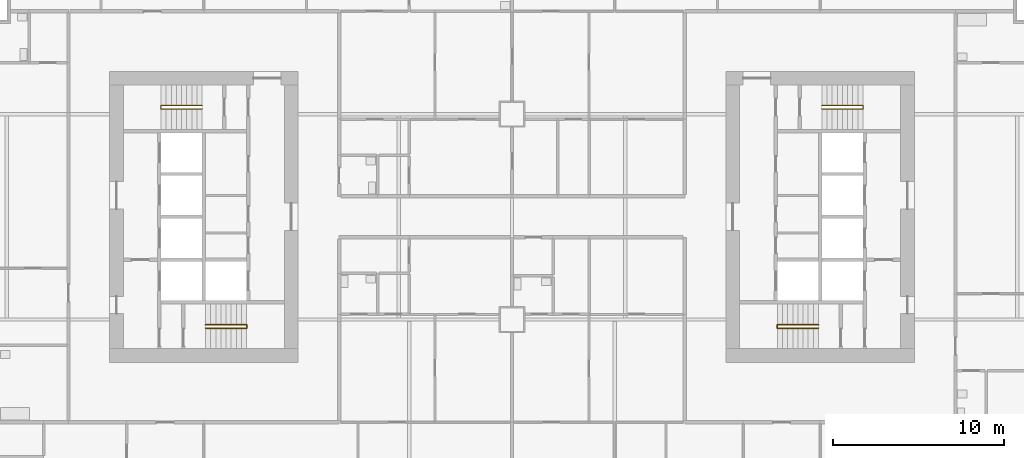
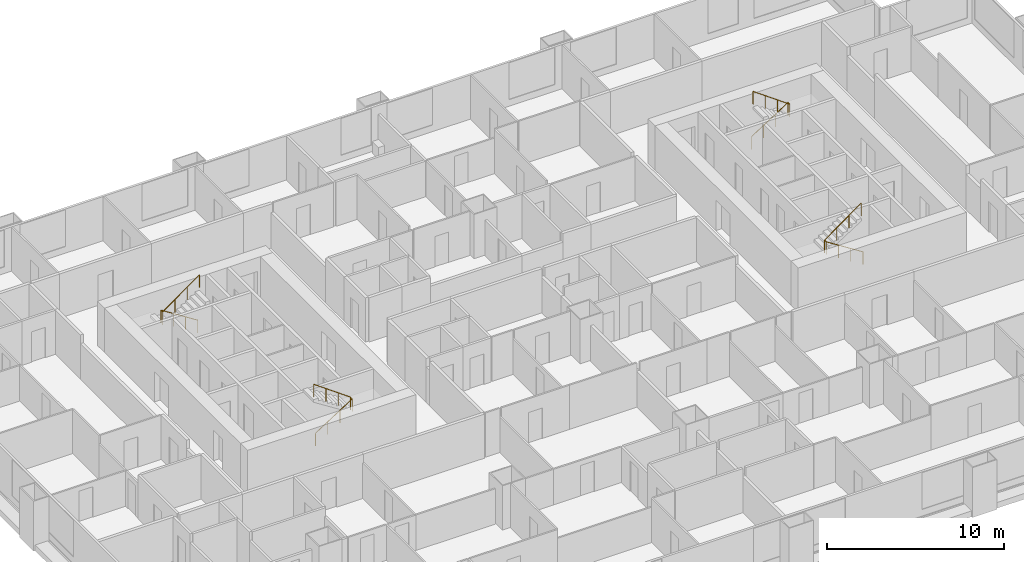
# One storey, part 13 of 14: 4 railings.
"""IFC4 building model written with IfcOpenShell, lengths in metres."""

from ifc_helpers import new_model, si_unit, direction, frame, origin, origin_2d, place, context, subcontext, project, spatial, circle, extrude, material, type_object, element, save


model = new_model("IFC4")

# Units and contexts
model_context = context("Model", 3, precision=1e-05, world=origin(), true_north=direction((0.0, 1.0)))
body_context = subcontext(model_context, "Body", "Model", "MODEL_VIEW")
ifc_project = project(units=[si_unit("LENGTHUNIT", "METRE"), si_unit("AREAUNIT", "SQUARE_METRE"), si_unit("VOLUMEUNIT", "CUBIC_METRE"), si_unit("PLANEANGLEUNIT", "RADIAN"), si_unit("MASSUNIT", "GRAM", prefix="KILO")], contexts=[model_context])

# Site, building, storey
site_placement = place(None, origin())
site = spatial("IfcSite", under=ifc_project, at=site_placement, CompositionType="ELEMENT")
building_placement = place(site_placement, origin())
building = spatial("IfcBuilding", under=site, at=building_placement, Name="Kitamizu Gate Tower and Museum", CompositionType="ELEMENT")
storey_placement = place(building_placement, frame((0.0, 0.0, 61.050048828125)))
storey = spatial("IfcBuildingStorey", under=building, at=storey_placement, Name="L14", CompositionType="ELEMENT", Elevation=61.050048828125)

# Railings
ifc_material = material(Name="Stainless steel SUS304", Category="steel")
railing_type = type_object("IfcRailingType", Name="Stair handrail 900", PredefinedType="HANDRAIL", material=ifc_material)
railing_1_placement = place(storey_placement, frame((18.10009765625, 23.5, 0.191650390625)))
element("IfcRailing", 1, at=railing_1_placement, inside=storey, type_object=railing_type, Name="Stair handrail ST1", PredefinedType="HANDRAIL", context=body_context, shape_type="SweptSolid", body=[
    extrude(circle(Radius=0.02392578125, at=origin_2d()), frame((0.0, 0.0, 0.8759765625), z_axis=(0.84270706373, 0.0, 0.538372366248), x_axis=(0.0, 1.0, 0.0)), (0.0, 0.0, 1.0), 2.847900390625),
    extrude(circle(Radius=0.02392578125, at=origin_2d()), frame((2.39990234375, 0.0, 2.4091796875), z_axis=(0.0, 1.0, 0.0), x_axis=(-1.0, 0.0, 0.0)), (0.0, 0.0, 1.0), 0.199951171875),
    extrude(circle(Radius=0.02392578125, at=origin_2d()), frame((2.39990234375, 0.199951171875, 2.4091796875), z_axis=(-0.811988456656, 0.0, 0.583673492852), x_axis=(0.0, -1.0, 0.0)), (0.0, 0.0, 1.0), 2.95556640625),
    extrude(circle(Radius=0.02099609375, at=origin_2d()), origin(), (0.0, 0.0, 1.0), 0.851806640625),
    extrude(circle(Radius=0.02099609375, at=origin_2d()), frame((0.800048828125, 0.0, 0.510986328125)), (0.0, 0.0, 1.0), 0.851806640625),
    extrude(circle(Radius=0.02099609375, at=origin_2d()), frame((1.599853515625, 0.0, 1.022216796875)), (0.0, 0.0, 1.0), 0.851806640625),
    extrude(circle(Radius=0.02099609375, at=origin_2d()), frame((2.39990234375, 0.0, 1.533203125)), (0.0, 0.0, 1.0), 0.851806640625),
    extrude(circle(Radius=0.02099609375, at=origin_2d()), frame((2.39990234375, 0.199951171875, 1.533203125)), (0.0, 0.0, 1.0), 0.851806640625),
    extrude(circle(Radius=0.02099609375, at=origin_2d()), frame((1.599853515625, 0.199951171875, 2.108154296875)), (0.0, 0.0, 1.0), 0.851806640625),
    extrude(circle(Radius=0.02099609375, at=origin_2d()), frame((0.800048828125, 0.199951171875, 2.683349609375)), (0.0, 0.0, 1.0), 0.851806640625),
    extrude(circle(Radius=0.02099609375, at=origin_2d()), frame((0.0, 0.199951171875, 3.25830078125)), (0.0, 0.0, 1.0), 0.851806640625),
])
railing_2_placement = place(storey_placement, frame((17.89990234375, 36.5, 0.191650390625)))
element("IfcRailing", 2, at=railing_2_placement, inside=storey, type_object=railing_type, Name="Stair handrail ST2", PredefinedType="HANDRAIL", context=body_context, shape_type="SweptSolid", body=[
    extrude(circle(Radius=0.02392578125, at=origin_2d()), frame((0.0, 0.0, 0.8759765625), z_axis=(-0.84270706373, 0.0, 0.538372366248), x_axis=(0.0, -1.0, 0.0)), (0.0, 0.0, 1.0), 2.847900390625),
    extrude(circle(Radius=0.02392578125, at=origin_2d()), frame((-2.39990234375, 0.0, 2.4091796875), z_axis=(0.0, -1.0, 0.0), x_axis=(1.0, 0.0, 0.0)), (0.0, 0.0, 1.0), 0.199951171875),
    extrude(circle(Radius=0.02392578125, at=origin_2d()), frame((-2.39990234375, -0.199951171875, 2.4091796875), z_axis=(0.811988456656, 0.0, 0.583673492852), x_axis=(0.0, 1.0, 0.0)), (0.0, 0.0, 1.0), 2.95556640625),
    extrude(circle(Radius=0.02099609375, at=origin_2d()), origin(), (0.0, 0.0, 1.0), 0.851806640625),
    extrude(circle(Radius=0.02099609375, at=origin_2d()), frame((-0.800048828125, 0.0, 0.510986328125)), (0.0, 0.0, 1.0), 0.851806640625),
    extrude(circle(Radius=0.02099609375, at=origin_2d()), frame((-1.599853515625, 0.0, 1.022216796875)), (0.0, 0.0, 1.0), 0.851806640625),
    extrude(circle(Radius=0.02099609375, at=origin_2d()), frame((-2.39990234375, 0.0, 1.533203125)), (0.0, 0.0, 1.0), 0.851806640625),
    extrude(circle(Radius=0.02099609375, at=origin_2d()), frame((-2.39990234375, -0.199951171875, 1.533203125)), (0.0, 0.0, 1.0), 0.851806640625),
    extrude(circle(Radius=0.02099609375, at=origin_2d()), frame((-1.599853515625, -0.199951171875, 2.108154296875)), (0.0, 0.0, 1.0), 0.851806640625),
    extrude(circle(Radius=0.02099609375, at=origin_2d()), frame((-0.800048828125, -0.199951171875, 2.683349609375)), (0.0, 0.0, 1.0), 0.851806640625),
    extrude(circle(Radius=0.02099609375, at=origin_2d()), frame((0.0, -0.199951171875, 3.25830078125)), (0.0, 0.0, 1.0), 0.851806640625),
])
railing_3_placement = place(storey_placement, frame((53.89990234375, 23.5, 0.191650390625)))
element("IfcRailing", 3, at=railing_3_placement, inside=storey, type_object=railing_type, Name="Stair handrail ST3", PredefinedType="HANDRAIL", context=body_context, shape_type="SweptSolid", body=[
    extrude(circle(Radius=0.02392578125, at=origin_2d()), frame((0.0, 0.0, 0.8759765625), z_axis=(-0.84270706373, 0.0, 0.538372366248), x_axis=(0.0, -1.0, 0.0)), (0.0, 0.0, 1.0), 2.847900390625),
    extrude(circle(Radius=0.02392578125, at=origin_2d()), frame((-2.39990234375, 0.0, 2.4091796875), z_axis=(0.0, 1.0, 0.0), x_axis=(-1.0, 0.0, 0.0)), (0.0, 0.0, 1.0), 0.199951171875),
    extrude(circle(Radius=0.02392578125, at=origin_2d()), frame((-2.39990234375, 0.199951171875, 2.4091796875), z_axis=(0.811988456656, 0.0, 0.583673492852), x_axis=(0.0, 1.0, 0.0)), (0.0, 0.0, 1.0), 2.95556640625),
    extrude(circle(Radius=0.02099609375, at=origin_2d()), origin(), (0.0, 0.0, 1.0), 0.851806640625),
    extrude(circle(Radius=0.02099609375, at=origin_2d()), frame((-0.800048828125, 0.0, 0.510986328125)), (0.0, 0.0, 1.0), 0.851806640625),
    extrude(circle(Radius=0.02099609375, at=origin_2d()), frame((-1.599853515625, 0.0, 1.022216796875)), (0.0, 0.0, 1.0), 0.851806640625),
    extrude(circle(Radius=0.02099609375, at=origin_2d()), frame((-2.39990234375, 0.0, 1.533203125)), (0.0, 0.0, 1.0), 0.851806640625),
    extrude(circle(Radius=0.02099609375, at=origin_2d()), frame((-2.39990234375, 0.199951171875, 1.533203125)), (0.0, 0.0, 1.0), 0.851806640625),
    extrude(circle(Radius=0.02099609375, at=origin_2d()), frame((-1.599853515625, 0.199951171875, 2.108154296875)), (0.0, 0.0, 1.0), 0.851806640625),
    extrude(circle(Radius=0.02099609375, at=origin_2d()), frame((-0.800048828125, 0.199951171875, 2.683349609375)), (0.0, 0.0, 1.0), 0.851806640625),
    extrude(circle(Radius=0.02099609375, at=origin_2d()), frame((0.0, 0.199951171875, 3.25830078125)), (0.0, 0.0, 1.0), 0.851806640625),
])
railing_4_placement = place(storey_placement, frame((54.10009765625, 36.5, 0.191650390625)))
element("IfcRailing", 4, at=railing_4_placement, inside=storey, type_object=railing_type, Name="Stair handrail ST4", PredefinedType="HANDRAIL", context=body_context, shape_type="SweptSolid", body=[
    extrude(circle(Radius=0.02392578125, at=origin_2d()), frame((0.0, 0.0, 0.8759765625), z_axis=(0.84270706373, 0.0, 0.538372366248), x_axis=(0.0, 1.0, 0.0)), (0.0, 0.0, 1.0), 2.847900390625),
    extrude(circle(Radius=0.02392578125, at=origin_2d()), frame((2.39990234375, 0.0, 2.4091796875), z_axis=(0.0, -1.0, 0.0), x_axis=(1.0, 0.0, 0.0)), (0.0, 0.0, 1.0), 0.199951171875),
    extrude(circle(Radius=0.02392578125, at=origin_2d()), frame((2.39990234375, -0.199951171875, 2.4091796875), z_axis=(-0.811988456656, 0.0, 0.583673492852), x_axis=(0.0, -1.0, 0.0)), (0.0, 0.0, 1.0), 2.95556640625),
    extrude(circle(Radius=0.02099609375, at=origin_2d()), origin(), (0.0, 0.0, 1.0), 0.851806640625),
    extrude(circle(Radius=0.02099609375, at=origin_2d()), frame((0.800048828125, 0.0, 0.510986328125)), (0.0, 0.0, 1.0), 0.851806640625),
    extrude(circle(Radius=0.02099609375, at=origin_2d()), frame((1.599853515625, 0.0, 1.022216796875)), (0.0, 0.0, 1.0), 0.851806640625),
    extrude(circle(Radius=0.02099609375, at=origin_2d()), frame((2.39990234375, 0.0, 1.533203125)), (0.0, 0.0, 1.0), 0.851806640625),
    extrude(circle(Radius=0.02099609375, at=origin_2d()), frame((2.39990234375, -0.199951171875, 1.533203125)), (0.0, 0.0, 1.0), 0.851806640625),
    extrude(circle(Radius=0.02099609375, at=origin_2d()), frame((1.599853515625, -0.199951171875, 2.108154296875)), (0.0, 0.0, 1.0), 0.851806640625),
    extrude(circle(Radius=0.02099609375, at=origin_2d()), frame((0.800048828125, -0.199951171875, 2.683349609375)), (0.0, 0.0, 1.0), 0.851806640625),
    extrude(circle(Radius=0.02099609375, at=origin_2d()), frame((0.0, -0.199951171875, 3.25830078125)), (0.0, 0.0, 1.0), 0.851806640625),
])

save(model, "model.ifc")
